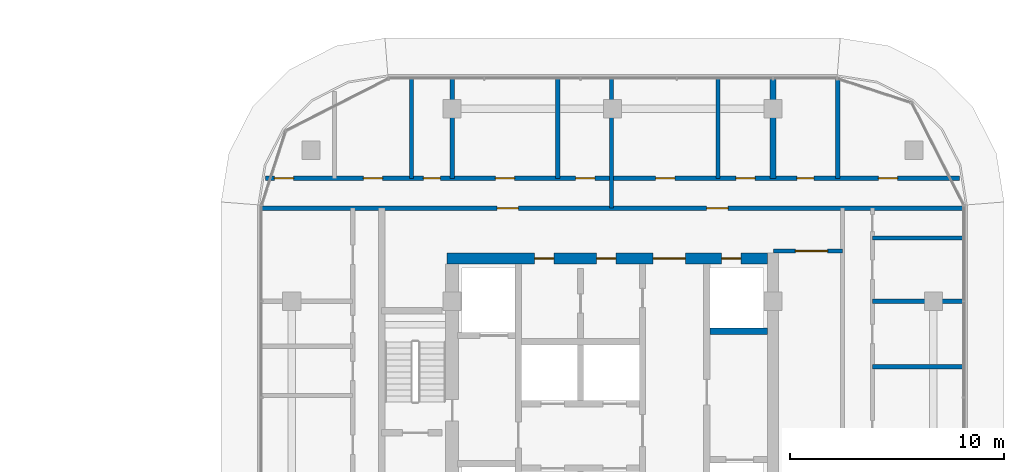
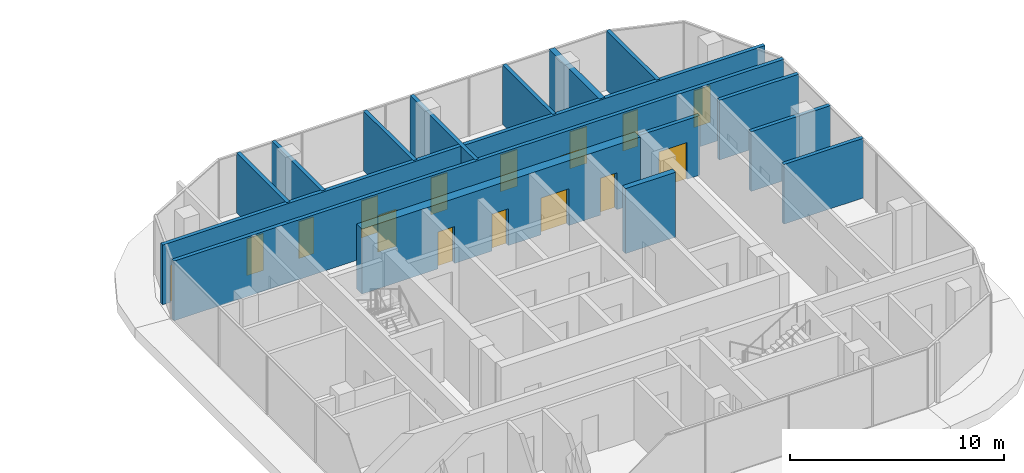
# One storey, part 24 of 36: 16 doors, 15 walls, 16 openings.
"""IFC4 building model written with IfcOpenShell, lengths in metres."""

from ifc_helpers import new_model, si_unit, direction, frame, frame_2d, origin, place, context, subcontext, project, spatial, rectangle, extrude, material, layer, layer_set, type_object, element, fill, save


model = new_model("IFC4")

# Units and contexts
model_context = context("Model", 3, precision=1e-05, world=origin(), true_north=direction((0.0, 1.0)))
body_context = subcontext(model_context, "Body", "Model", "MODEL_VIEW")
ifc_project = project(units=[si_unit("LENGTHUNIT", "METRE"), si_unit("AREAUNIT", "SQUARE_METRE"), si_unit("VOLUMEUNIT", "CUBIC_METRE"), si_unit("PLANEANGLEUNIT", "RADIAN"), si_unit("MASSUNIT", "GRAM", prefix="KILO")], contexts=[model_context])

# Site, building, storey
site_placement = place(None, origin())
site = spatial("IfcSite", under=ifc_project, at=site_placement, CompositionType="ELEMENT")
building_placement = place(site_placement, origin())
building = spatial("IfcBuilding", under=site, at=building_placement, Name="Ogive Portal Towers", CompositionType="ELEMENT")
storey_placement = place(building_placement, frame((0.0, 0.0, 70.5)))
storey = spatial("IfcBuildingStorey", under=building, at=storey_placement, Name="L16", CompositionType="ELEMENT", Elevation=70.5)

# Wall
ifc_material_1 = material(Name="Concrete C60/75", Category="concrete")
ifc_layer_1 = layer(ifc_material_1, 0.300048828125)
ifc_layer_set_1 = layer_set([ifc_layer_1], Name="CORE WALL 300 C60")
wall_type_1 = type_object("IfcWallType", Name="CORE WALL 300 C60", PredefinedType="SHEAR", material=ifc_layer_set_1)
wall_1_placement = place(storey_placement, frame((141.050048828125, 34.10009765625, 0.0), z_axis=(0.0, 0.0, 1.0), x_axis=(1.0, 0.0, 0.0)))
element("IfcWall", 1, at=wall_1_placement, inside=storey, type_object=wall_type_1, Name="Tower B core wall BY7 L16", PredefinedType="SHEAR", context=body_context, shape_type="SweptSolid", body=[
    extrude(rectangle(XDim=2.699951171875, YDim=0.300048828125, at=frame_2d((1.35009765625, 0.0))), origin(), (0.0, 0.0, 1.0), 3.699951171875),
])

# Wall, openings, doors
ifc_layer_2 = layer(ifc_material_1, 0.5)
ifc_layer_set_2 = layer_set([ifc_layer_2], Name="CORE WALL 500 C60")
wall_type_2 = type_object("IfcWallType", Name="CORE WALL 500 C60", PredefinedType="SHEAR", material=ifc_layer_set_2)
wall_2_placement = place(storey_placement, frame((128.75, 37.5, 0.0), z_axis=(0.0, 0.0, 1.0), x_axis=(1.0, 0.0, 0.0)))
wall_2 = element("IfcWall", 2, at=wall_2_placement, inside=storey, type_object=wall_type_2, Name="Tower B core wall BN L16", PredefinedType="SHEAR", context=body_context, shape_type="SweptSolid", body=[
    extrude(rectangle(XDim=15.0, YDim=0.5, at=frame_2d((7.5, 0.0))), origin(), (0.0, 0.0, 1.0), 3.699951171875),
])
opening_1_placement = place(wall_2_placement, frame((9.64990234375, 0.0, 0.0)))
opening_1 = element("IfcOpeningElement", 3, at=opening_1_placement, cuts=wall_2, Name="Opening B05-046", PredefinedType="OPENING", context=body_context, shape_type="SweptSolid", body=[
    extrude(rectangle(XDim=1.5, YDim=2.10009765625, at=frame_2d((0.75, 1.050048828125))), frame((0.0, 0.260009765625, 0.0), z_axis=(0.0, -1.0, 0.0), x_axis=(1.0, 0.0, 0.0)), (0.0, 0.0, 1.0), 0.52001953125),
])
opening_2_placement = place(wall_2_placement, frame((12.85009765625, 0.0, 0.0)))
opening_2 = element("IfcOpeningElement", 4, at=opening_2_placement, cuts=wall_2, Name="Opening B05-048", PredefinedType="OPENING", context=body_context, shape_type="SweptSolid", body=[
    extrude(rectangle(XDim=0.89990234375, YDim=2.10009765625, at=frame_2d((0.449951171875, 1.050048828125))), frame((0.0, 0.260009765625, 0.0), z_axis=(0.0, -1.0, 0.0), x_axis=(1.0, 0.0, 0.0)), (0.0, 0.0, 1.0), 0.52001953125),
])
opening_3_placement = place(wall_2_placement, frame((4.10009765625, 0.0, 0.0)))
opening_3 = element("IfcOpeningElement", 5, at=opening_3_placement, cuts=wall_2, Name="Opening B05-055", PredefinedType="OPENING", context=body_context, shape_type="SweptSolid", body=[
    extrude(rectangle(XDim=0.89990234375, YDim=2.10009765625, at=frame_2d((0.449951171875, 1.050048828125))), frame((0.0, 0.260009765625, 0.0), z_axis=(0.0, -1.0, 0.0), x_axis=(1.0, 0.0, 0.0)), (0.0, 0.0, 1.0), 0.52001953125),
])
opening_4_placement = place(wall_2_placement, frame((7.0, 0.0, 0.0)))
opening_4 = element("IfcOpeningElement", 6, at=opening_4_placement, cuts=wall_2, Name="Opening B05-056", PredefinedType="OPENING", context=body_context, shape_type="SweptSolid", body=[
    extrude(rectangle(XDim=0.89990234375, YDim=2.10009765625, at=frame_2d((0.449951171875, 1.050048828125))), frame((0.0, 0.260009765625, 0.0), z_axis=(0.0, -1.0, 0.0), x_axis=(1.0, 0.0, 0.0)), (0.0, 0.0, 1.0), 0.52001953125),
])
ifc_material_2 = material(Name="Steel fire door", Category="steel")
door_type_1 = type_object("IfcDoorType", Name="DT-SWING-1500x2100-FD90S", OperationType="SINGLE_SWING_LEFT", PredefinedType="DOOR", material=ifc_material_2)
door_1_placement = place(opening_1_placement, origin())
door_1 = element("IfcDoor", 7, at=door_1_placement, inside=storey, type_object=door_type_1, Name="Door B05-046", OperationType="SINGLE_SWING_RIGHT", OverallHeight=2.10009765625, OverallWidth=1.5, PredefinedType="DOOR", context=body_context, shape_type="SweptSolid", body=[
    extrude(rectangle(XDim=1.5, YDim=2.10009765625, at=frame_2d((0.75, 1.050048828125))), frame((0.0, 0.02490234375, 0.0), z_axis=(0.0, -1.0, 0.0), x_axis=(1.0, 0.0, 0.0)), (0.0, 0.0, 1.0), 0.050048828125),
])
fill(opening_1, door_1)
door_type_2 = type_object("IfcDoorType", Name="DT-SWING-900x2100-FD90S", OperationType="SINGLE_SWING_LEFT", PredefinedType="DOOR", material=ifc_material_2)
door_2_placement = place(opening_2_placement, origin())
door_2 = element("IfcDoor", 8, at=door_2_placement, inside=storey, type_object=door_type_2, Name="Riser access door B05-048", OperationType="SINGLE_SWING_RIGHT", OverallHeight=2.10009765625, OverallWidth=0.89990234375, PredefinedType="DOOR", context=body_context, shape_type="SweptSolid", body=[
    extrude(rectangle(XDim=0.89990234375, YDim=2.10009765625, at=frame_2d((0.449951171875, 1.050048828125))), frame((0.0, 0.02490234375, 0.0), z_axis=(0.0, -1.0, 0.0), x_axis=(1.0, 0.0, 0.0)), (0.0, 0.0, 1.0), 0.050048828125),
])
fill(opening_2, door_2)
door_3_placement = place(opening_3_placement, origin())
door_3 = element("IfcDoor", 9, at=door_3_placement, inside=storey, type_object=door_type_2, Name="Door B05-055", OperationType="SINGLE_SWING_LEFT", OverallHeight=2.10009765625, OverallWidth=0.89990234375, PredefinedType="DOOR", context=body_context, shape_type="SweptSolid", body=[
    extrude(rectangle(XDim=0.89990234375, YDim=2.10009765625, at=frame_2d((0.449951171875, 1.050048828125))), frame((0.0, 0.02490234375, 0.0), z_axis=(0.0, -1.0, 0.0), x_axis=(1.0, 0.0, 0.0)), (0.0, 0.0, 1.0), 0.050048828125),
])
fill(opening_3, door_3)
door_4_placement = place(opening_4_placement, origin())
door_4 = element("IfcDoor", 10, at=door_4_placement, inside=storey, type_object=door_type_2, Name="Door B05-056", OperationType="SINGLE_SWING_RIGHT", OverallHeight=2.10009765625, OverallWidth=0.89990234375, PredefinedType="DOOR", context=body_context, shape_type="SweptSolid", body=[
    extrude(rectangle(XDim=0.89990234375, YDim=2.10009765625, at=frame_2d((0.449951171875, 1.050048828125))), frame((0.0, 0.02490234375, 0.0), z_axis=(0.0, -1.0, 0.0), x_axis=(1.0, 0.0, 0.0)), (0.0, 0.0, 1.0), 0.050048828125),
])
fill(opening_4, door_4)

# Walls
ifc_material_3 = material(Name="Gypsum board partition on steel studs", Category="steel")
ifc_layer_3 = layer(ifc_material_3, 0.199951171875)
ifc_layer_set_3 = layer_set([ifc_layer_3], Name="WT-PART-200-EI 60")
wall_type_3 = type_object("IfcWallType", Name="WT-PART-200-EI 60", PredefinedType="PARTITIONING", material=ifc_layer_set_3)
for number, where, z_axis, x_axis, name in (
    (11, (148.64990234375, 32.43310546875, 0.0), (0.0, 0.0, 1.0), (1.0, 0.0, 0.0), "Wall L16:w012"),
    (12, (148.64990234375, 35.5, 0.0), (0.0, 0.0, 1.0), (1.0, 0.0, 0.0), "Wall L16:w016"),
):
    element("IfcWall", number, at=place(storey_placement, frame(where, z_axis=z_axis, x_axis=x_axis)), inside=storey, type_object=wall_type_3, Name=name, PredefinedType="PARTITIONING", context=body_context, shape_type="SweptSolid", body=[
        extrude(rectangle(XDim=4.280029296875, YDim=0.199951171875, at=frame_2d((2.14013671875, 0.0))), origin(), (0.0, 0.0, 1.0), 3.39990234375),
    ])

# Wall, opening, door
wall_3_placement = place(storey_placement, frame((144.02001953125, 37.85009765625, 0.0), z_axis=(0.0, 0.0, 1.0), x_axis=(1.0, 0.0, 0.0)))
wall_3 = element("IfcWall", 13, at=wall_3_placement, inside=storey, type_object=wall_type_3, Name="Wall L16:w018", PredefinedType="PARTITIONING", context=body_context, shape_type="SweptSolid", body=[
    extrude(rectangle(XDim=3.22998046875, YDim=0.199951171875, at=frame_2d((1.614990234375, 0.0))), origin(), (0.0, 0.0, 1.0), 3.39990234375),
])
opening_5_placement = place(wall_3_placement, frame((1.030029296875, 0.0, 0.0)))
opening_5 = element("IfcOpeningElement", 14, at=opening_5_placement, cuts=wall_3, Name="Opening B05-001", PredefinedType="OPENING", context=body_context, shape_type="SweptSolid", body=[
    extrude(rectangle(XDim=1.5, YDim=2.10009765625, at=frame_2d((0.75, 1.050048828125))), frame((0.0, 0.10986328125, 0.0), z_axis=(0.0, -1.0, 0.0), x_axis=(1.0, 0.0, 0.0)), (0.0, 0.0, 1.0), 0.219970703125),
])
door_type_3 = type_object("IfcDoorType", Name="DT-SWING-1500x2100-FD60S", OperationType="SINGLE_SWING_LEFT", PredefinedType="DOOR", material=ifc_material_2)
door_5_placement = place(opening_5_placement, origin())
door_5 = element("IfcDoor", 15, at=door_5_placement, inside=storey, type_object=door_type_3, Name="Door B05-001", OperationType="SINGLE_SWING_LEFT", OverallHeight=2.10009765625, OverallWidth=1.5, PredefinedType="DOOR", context=body_context, shape_type="SweptSolid", body=[
    extrude(rectangle(XDim=1.5, YDim=2.10009765625, at=frame_2d((0.75, 1.050048828125))), frame((0.0, 0.02490234375, 0.0), z_axis=(0.0, -1.0, 0.0), x_axis=(1.0, 0.0, 0.0)), (0.0, 0.0, 1.0), 0.050048828125),
])
fill(opening_5, door_5)

# Wall
wall_4_placement = place(storey_placement, frame((148.64990234375, 38.4560546875, 0.0), z_axis=(0.0, 0.0, 1.0), x_axis=(1.0, 0.0, 0.0)))
element("IfcWall", 16, at=wall_4_placement, inside=storey, type_object=wall_type_3, Name="Wall L16:w019", PredefinedType="PARTITIONING", context=body_context, shape_type="SweptSolid", body=[
    extrude(rectangle(XDim=4.280029296875, YDim=0.199951171875, at=frame_2d((2.14013671875, 0.0))), origin(), (0.0, 0.0, 1.0), 3.39990234375),
])

# Wall, openings, doors
wall_5_placement = place(storey_placement, frame((120.070068359375, 39.85009765625, 0.0), z_axis=(0.0, 0.0, 1.0), x_axis=(1.0, 0.0, 0.0)))
wall_5 = element("IfcWall", 17, at=wall_5_placement, inside=storey, type_object=wall_type_3, Name="Wall L16:w020", PredefinedType="PARTITIONING", context=body_context, shape_type="SweptSolid", body=[
    extrude(rectangle(XDim=32.85986328125, YDim=0.199951171875, at=frame_2d((16.429931640625, 0.0))), origin(), (0.0, 0.0, 1.0), 3.39990234375),
])
opening_6_placement = place(wall_5_placement, frame((11.030029296875, 0.0, 0.0)))
opening_6 = element("IfcOpeningElement", 18, at=opening_6_placement, cuts=wall_5, Name="Opening B05-005", PredefinedType="OPENING", context=body_context, shape_type="SweptSolid", body=[
    extrude(rectangle(XDim=1.0, YDim=2.10009765625, at=frame_2d((0.5, 1.050048828125))), frame((0.0, 0.10986328125, 0.0), z_axis=(0.0, -1.0, 0.0), x_axis=(1.0, 0.0, 0.0)), (0.0, 0.0, 1.0), 0.219970703125),
])
opening_7_placement = place(wall_5_placement, frame((20.830078125, 0.0, 0.0)))
opening_7 = element("IfcOpeningElement", 19, at=opening_7_placement, cuts=wall_5, Name="Opening B05-011", PredefinedType="OPENING", context=body_context, shape_type="SweptSolid", body=[
    extrude(rectangle(XDim=1.0, YDim=2.10009765625, at=frame_2d((0.5, 1.050048828125))), frame((0.0, 0.10986328125, 0.0), z_axis=(0.0, -1.0, 0.0), x_axis=(1.0, 0.0, 0.0)), (0.0, 0.0, 1.0), 0.219970703125),
])
door_type_4 = type_object("IfcDoorType", Name="DT-SWING-1000x2100-FD60S", OperationType="SINGLE_SWING_LEFT", PredefinedType="DOOR", material=ifc_material_2)
door_6_placement = place(opening_6_placement, origin())
door_6 = element("IfcDoor", 20, at=door_6_placement, inside=storey, type_object=door_type_4, Name="Door B05-005", OperationType="SINGLE_SWING_LEFT", OverallHeight=2.10009765625, OverallWidth=1.0, PredefinedType="DOOR", context=body_context, shape_type="SweptSolid", body=[
    extrude(rectangle(XDim=1.0, YDim=2.10009765625, at=frame_2d((0.5, 1.050048828125))), frame((0.0, 0.02490234375, 0.0), z_axis=(0.0, -1.0, 0.0), x_axis=(1.0, 0.0, 0.0)), (0.0, 0.0, 1.0), 0.050048828125),
])
fill(opening_6, door_6)
door_7_placement = place(opening_7_placement, origin())
door_7 = element("IfcDoor", 21, at=door_7_placement, inside=storey, type_object=door_type_4, Name="Door B05-011", OperationType="SINGLE_SWING_LEFT", OverallHeight=2.10009765625, OverallWidth=1.0, PredefinedType="DOOR", context=body_context, shape_type="SweptSolid", body=[
    extrude(rectangle(XDim=1.0, YDim=2.10009765625, at=frame_2d((0.5, 1.050048828125))), frame((0.0, 0.02490234375, 0.0), z_axis=(0.0, -1.0, 0.0), x_axis=(1.0, 0.0, 0.0)), (0.0, 0.0, 1.0), 0.050048828125),
])
fill(opening_7, door_7)

wall_6_placement = place(storey_placement, frame((120.26904296875, 41.25, 0.0), z_axis=(0.0, 0.0, 1.0), x_axis=(1.0, 0.0, 0.0)))
wall_6 = element("IfcWall", 22, at=wall_6_placement, inside=storey, type_object=wall_type_3, Name="Wall L16:w021", PredefinedType="PARTITIONING", context=body_context, shape_type="SweptSolid", body=[
    extrude(rectangle(XDim=32.4619140625, YDim=0.199951171875, at=frame_2d((16.23095703125, 0.0))), origin(), (0.0, 0.0, 1.0), 3.39990234375),
])
opening_8_placement = place(wall_6_placement, frame((0.4140625, 0.0, 0.0)))
opening_8 = element("IfcOpeningElement", 23, at=opening_8_placement, cuts=wall_6, Name="Opening B05-006", PredefinedType="OPENING", context=body_context, shape_type="SweptSolid", body=[
    extrude(rectangle(XDim=0.89990234375, YDim=2.10009765625, at=frame_2d((0.449951171875, 1.050048828125))), frame((0.0, 0.10986328125, 0.0), z_axis=(0.0, -1.0, 0.0), x_axis=(1.0, 0.0, 0.0)), (0.0, 0.0, 1.0), 0.219970703125),
])
opening_9_placement = place(wall_6_placement, frame((4.5810546875, 0.0, 0.0)))
opening_9 = element("IfcOpeningElement", 24, at=opening_9_placement, cuts=wall_6, Name="Opening B05-007", PredefinedType="OPENING", context=body_context, shape_type="SweptSolid", body=[
    extrude(rectangle(XDim=0.89990234375, YDim=2.10009765625, at=frame_2d((0.449951171875, 1.050048828125))), frame((0.0, 0.10986328125, 0.0), z_axis=(0.0, -1.0, 0.0), x_axis=(1.0, 0.0, 0.0)), (0.0, 0.0, 1.0), 0.219970703125),
])
opening_10_placement = place(wall_6_placement, frame((7.381103515625, 0.0, 0.0)))
opening_10 = element("IfcOpeningElement", 25, at=opening_10_placement, cuts=wall_6, Name="Opening B05-008", PredefinedType="OPENING", context=body_context, shape_type="SweptSolid", body=[
    extrude(rectangle(XDim=0.800048828125, YDim=2.10009765625, at=frame_2d((0.39990234375, 1.050048828125))), frame((0.0, 0.10986328125, 0.0), z_axis=(0.0, -1.0, 0.0), x_axis=(1.0, 0.0, 0.0)), (0.0, 0.0, 1.0), 0.219970703125),
])
opening_11_placement = place(wall_6_placement, frame((10.748046875, 0.0, 0.0)))
opening_11 = element("IfcOpeningElement", 26, at=opening_11_placement, cuts=wall_6, Name="Opening B05-009", PredefinedType="OPENING", context=body_context, shape_type="SweptSolid", body=[
    extrude(rectangle(XDim=0.89990234375, YDim=2.10009765625, at=frame_2d((0.449951171875, 1.050048828125))), frame((0.0, 0.10986328125, 0.0), z_axis=(0.0, -1.0, 0.0), x_axis=(1.0, 0.0, 0.0)), (0.0, 0.0, 1.0), 0.219970703125),
])
opening_12_placement = place(wall_6_placement, frame((14.498046875, 0.0, 0.0)))
opening_12 = element("IfcOpeningElement", 27, at=opening_12_placement, cuts=wall_6, Name="Opening B05-010", PredefinedType="OPENING", context=body_context, shape_type="SweptSolid", body=[
    extrude(rectangle(XDim=0.89990234375, YDim=2.10009765625, at=frame_2d((0.449951171875, 1.050048828125))), frame((0.0, 0.10986328125, 0.0), z_axis=(0.0, -1.0, 0.0), x_axis=(1.0, 0.0, 0.0)), (0.0, 0.0, 1.0), 0.219970703125),
])
opening_13_placement = place(wall_6_placement, frame((18.248046875, 0.0, 0.0)))
opening_13 = element("IfcOpeningElement", 28, at=opening_13_placement, cuts=wall_6, Name="Opening B05-012", PredefinedType="OPENING", context=body_context, shape_type="SweptSolid", body=[
    extrude(rectangle(XDim=0.89990234375, YDim=2.10009765625, at=frame_2d((0.449951171875, 1.050048828125))), frame((0.0, 0.10986328125, 0.0), z_axis=(0.0, -1.0, 0.0), x_axis=(1.0, 0.0, 0.0)), (0.0, 0.0, 1.0), 0.219970703125),
])
opening_14_placement = place(wall_6_placement, frame((21.998046875, 0.0, 0.0)))
opening_14 = element("IfcOpeningElement", 29, at=opening_14_placement, cuts=wall_6, Name="Opening B05-013", PredefinedType="OPENING", context=body_context, shape_type="SweptSolid", body=[
    extrude(rectangle(XDim=0.89990234375, YDim=2.10009765625, at=frame_2d((0.449951171875, 1.050048828125))), frame((0.0, 0.10986328125, 0.0), z_axis=(0.0, -1.0, 0.0), x_axis=(1.0, 0.0, 0.0)), (0.0, 0.0, 1.0), 0.219970703125),
])
opening_15_placement = place(wall_6_placement, frame((24.842041015625, 0.0, 0.0)))
opening_15 = element("IfcOpeningElement", 30, at=opening_15_placement, cuts=wall_6, Name="Opening B05-014", PredefinedType="OPENING", context=body_context, shape_type="SweptSolid", body=[
    extrude(rectangle(XDim=0.800048828125, YDim=2.10009765625, at=frame_2d((0.39990234375, 1.050048828125))), frame((0.0, 0.10986328125, 0.0), z_axis=(0.0, -1.0, 0.0), x_axis=(1.0, 0.0, 0.0)), (0.0, 0.0, 1.0), 0.219970703125),
])
opening_16_placement = place(wall_6_placement, frame((28.658935546875, 0.0, 0.0)))
opening_16 = element("IfcOpeningElement", 31, at=opening_16_placement, cuts=wall_6, Name="Opening B05-015", PredefinedType="OPENING", context=body_context, shape_type="SweptSolid", body=[
    extrude(rectangle(XDim=0.89990234375, YDim=2.10009765625, at=frame_2d((0.449951171875, 1.050048828125))), frame((0.0, 0.10986328125, 0.0), z_axis=(0.0, -1.0, 0.0), x_axis=(1.0, 0.0, 0.0)), (0.0, 0.0, 1.0), 0.219970703125),
])
door_type_5 = type_object("IfcDoorType", Name="DT-SWING-800x2100-FD60S", OperationType="SINGLE_SWING_LEFT", PredefinedType="DOOR", material=ifc_material_2)
door_8_placement = place(opening_10_placement, origin())
door_8 = element("IfcDoor", 32, at=door_8_placement, inside=storey, type_object=door_type_5, Name="Door B05-008", OperationType="SINGLE_SWING_RIGHT", OverallHeight=2.10009765625, OverallWidth=0.800048828125, PredefinedType="DOOR", context=body_context, shape_type="SweptSolid", body=[
    extrude(rectangle(XDim=0.800048828125, YDim=2.10009765625, at=frame_2d((0.39990234375, 1.050048828125))), frame((0.0, 0.02490234375, 0.0), z_axis=(0.0, -1.0, 0.0), x_axis=(1.0, 0.0, 0.0)), (0.0, 0.0, 1.0), 0.050048828125),
])
fill(opening_10, door_8)
door_9_placement = place(opening_15_placement, origin())
door_9 = element("IfcDoor", 33, at=door_9_placement, inside=storey, type_object=door_type_5, Name="Door B05-014", OperationType="SINGLE_SWING_RIGHT", OverallHeight=2.10009765625, OverallWidth=0.800048828125, PredefinedType="DOOR", context=body_context, shape_type="SweptSolid", body=[
    extrude(rectangle(XDim=0.800048828125, YDim=2.10009765625, at=frame_2d((0.39990234375, 1.050048828125))), frame((0.0, 0.02490234375, 0.0), z_axis=(0.0, -1.0, 0.0), x_axis=(1.0, 0.0, 0.0)), (0.0, 0.0, 1.0), 0.050048828125),
])
fill(opening_15, door_9)
door_type_6 = type_object("IfcDoorType", Name="DT-SWING-900x2100-FD60S", OperationType="SINGLE_SWING_LEFT", PredefinedType="DOOR", material=ifc_material_2)
door_10_placement = place(opening_8_placement, origin())
door_10 = element("IfcDoor", 34, at=door_10_placement, inside=storey, type_object=door_type_6, Name="Door B05-006", OperationType="SINGLE_SWING_RIGHT", OverallHeight=2.10009765625, OverallWidth=0.89990234375, PredefinedType="DOOR", context=body_context, shape_type="SweptSolid", body=[
    extrude(rectangle(XDim=0.89990234375, YDim=2.10009765625, at=frame_2d((0.449951171875, 1.050048828125))), frame((0.0, 0.02490234375, 0.0), z_axis=(0.0, -1.0, 0.0), x_axis=(1.0, 0.0, 0.0)), (0.0, 0.0, 1.0), 0.050048828125),
])
fill(opening_8, door_10)
door_11_placement = place(opening_9_placement, origin())
door_11 = element("IfcDoor", 35, at=door_11_placement, inside=storey, type_object=door_type_6, Name="Door B05-007", OperationType="SINGLE_SWING_LEFT", OverallHeight=2.10009765625, OverallWidth=0.89990234375, PredefinedType="DOOR", context=body_context, shape_type="SweptSolid", body=[
    extrude(rectangle(XDim=0.89990234375, YDim=2.10009765625, at=frame_2d((0.449951171875, 1.050048828125))), frame((0.0, 0.02490234375, 0.0), z_axis=(0.0, -1.0, 0.0), x_axis=(1.0, 0.0, 0.0)), (0.0, 0.0, 1.0), 0.050048828125),
])
fill(opening_9, door_11)
door_12_placement = place(opening_11_placement, origin())
door_12 = element("IfcDoor", 36, at=door_12_placement, inside=storey, type_object=door_type_6, Name="Door B05-009", OperationType="SINGLE_SWING_LEFT", OverallHeight=2.10009765625, OverallWidth=0.89990234375, PredefinedType="DOOR", context=body_context, shape_type="SweptSolid", body=[
    extrude(rectangle(XDim=0.89990234375, YDim=2.10009765625, at=frame_2d((0.449951171875, 1.050048828125))), frame((0.0, 0.02490234375, 0.0), z_axis=(0.0, -1.0, 0.0), x_axis=(1.0, 0.0, 0.0)), (0.0, 0.0, 1.0), 0.050048828125),
])
fill(opening_11, door_12)
door_13_placement = place(opening_12_placement, origin())
door_13 = element("IfcDoor", 37, at=door_13_placement, inside=storey, type_object=door_type_6, Name="Door B05-010", OperationType="SINGLE_SWING_RIGHT", OverallHeight=2.10009765625, OverallWidth=0.89990234375, PredefinedType="DOOR", context=body_context, shape_type="SweptSolid", body=[
    extrude(rectangle(XDim=0.89990234375, YDim=2.10009765625, at=frame_2d((0.449951171875, 1.050048828125))), frame((0.0, 0.02490234375, 0.0), z_axis=(0.0, -1.0, 0.0), x_axis=(1.0, 0.0, 0.0)), (0.0, 0.0, 1.0), 0.050048828125),
])
fill(opening_12, door_13)
door_14_placement = place(opening_13_placement, origin())
door_14 = element("IfcDoor", 38, at=door_14_placement, inside=storey, type_object=door_type_6, Name="Door B05-012", OperationType="SINGLE_SWING_RIGHT", OverallHeight=2.10009765625, OverallWidth=0.89990234375, PredefinedType="DOOR", context=body_context, shape_type="SweptSolid", body=[
    extrude(rectangle(XDim=0.89990234375, YDim=2.10009765625, at=frame_2d((0.449951171875, 1.050048828125))), frame((0.0, 0.02490234375, 0.0), z_axis=(0.0, -1.0, 0.0), x_axis=(1.0, 0.0, 0.0)), (0.0, 0.0, 1.0), 0.050048828125),
])
fill(opening_13, door_14)
door_15_placement = place(opening_14_placement, origin())
door_15 = element("IfcDoor", 39, at=door_15_placement, inside=storey, type_object=door_type_6, Name="Door B05-013", OperationType="SINGLE_SWING_LEFT", OverallHeight=2.10009765625, OverallWidth=0.89990234375, PredefinedType="DOOR", context=body_context, shape_type="SweptSolid", body=[
    extrude(rectangle(XDim=0.89990234375, YDim=2.10009765625, at=frame_2d((0.449951171875, 1.050048828125))), frame((0.0, 0.02490234375, 0.0), z_axis=(0.0, -1.0, 0.0), x_axis=(1.0, 0.0, 0.0)), (0.0, 0.0, 1.0), 0.050048828125),
])
fill(opening_14, door_15)
door_16_placement = place(opening_16_placement, origin())
door_16 = element("IfcDoor", 40, at=door_16_placement, inside=storey, type_object=door_type_6, Name="Door B05-015", OperationType="SINGLE_SWING_LEFT", OverallHeight=2.10009765625, OverallWidth=0.89990234375, PredefinedType="DOOR", context=body_context, shape_type="SweptSolid", body=[
    extrude(rectangle(XDim=0.89990234375, YDim=2.10009765625, at=frame_2d((0.449951171875, 1.050048828125))), frame((0.0, 0.02490234375, 0.0), z_axis=(0.0, -1.0, 0.0), x_axis=(1.0, 0.0, 0.0)), (0.0, 0.0, 1.0), 0.050048828125),
])
fill(opening_16, door_16)

# Walls
for number, where, z_axis, x_axis, name in (
    (41, (127.10009765625, 41.25, 0.0), (0.0, 0.0, 1.0), (0.0, 1.0, 0.0), "Wall L16:w027"),
    (42, (129.0, 41.25, 0.0), (0.0, 0.0, 1.0), (0.0, 1.0, 0.0), "Wall L16:w031"),
    (43, (133.93310546875, 41.25, 0.0), (0.0, 0.0, 1.0), (0.0, 1.0, 0.0), "Wall L16:w033"),
):
    element("IfcWall", number, at=place(storey_placement, frame(where, z_axis=z_axis, x_axis=x_axis)), inside=storey, type_object=wall_type_3, Name=name, PredefinedType="PARTITIONING", context=body_context, shape_type="SweptSolid", body=[
        extrude(rectangle(XDim=4.679931640625, YDim=0.199951171875, at=frame_2d((2.33984375, 0.0))), origin(), (0.0, 0.0, 1.0), 3.39990234375),
    ])
wall_7_placement = place(storey_placement, frame((136.449951171875, 39.85009765625, 0.0), z_axis=(0.0, 0.0, 1.0), x_axis=(0.0, 1.0, 0.0)))
element("IfcWall", 44, at=wall_7_placement, inside=storey, type_object=wall_type_3, Name="Wall L16:w036", PredefinedType="PARTITIONING", context=body_context, shape_type="SweptSolid", body=[
    extrude(rectangle(XDim=6.079833984375, YDim=0.199951171875, at=frame_2d((3.0400390625, 0.0))), origin(), (0.0, 0.0, 1.0), 3.39990234375),
])
wall_8_placement = place(storey_placement, frame((141.43310546875, 41.25, 0.0), z_axis=(0.0, 0.0, 1.0), x_axis=(0.0, 1.0, 0.0)))
element("IfcWall", 45, at=wall_8_placement, inside=storey, type_object=wall_type_3, Name="Wall L16:w038", PredefinedType="PARTITIONING", context=body_context, shape_type="SweptSolid", body=[
    extrude(rectangle(XDim=4.679931640625, YDim=0.199951171875, at=frame_2d((2.33984375, 0.0))), origin(), (0.0, 0.0, 1.0), 3.39990234375),
])
wall_9_placement = place(storey_placement, frame((147.02197265625, 41.25, 0.0), z_axis=(0.0, 0.0, 1.0), x_axis=(0.0, 1.0, 0.0)))
element("IfcWall", 46, at=wall_9_placement, inside=storey, type_object=wall_type_3, Name="Wall L16:w044", PredefinedType="PARTITIONING", context=body_context, shape_type="SweptSolid", body=[
    extrude(rectangle(XDim=4.676025390625, YDim=0.199951171875, at=frame_2d((2.337890625, 0.0))), origin(), (0.0, 0.0, 1.0), 3.39990234375),
])
ifc_layer_4 = layer(ifc_material_3, 0.300048828125)
ifc_layer_set_4 = layer_set([ifc_layer_4], Name="WT-PART-300-EI 60")
wall_type_4 = type_object("IfcWallType", Name="WT-PART-300-EI 60", PredefinedType="PARTITIONING", material=ifc_layer_set_4)
wall_10_placement = place(storey_placement, frame((144.0, 41.25, 0.0), z_axis=(0.0, 0.0, 1.0), x_axis=(0.0, 1.0, 0.0)))
element("IfcWall", 47, at=wall_10_placement, inside=storey, type_object=wall_type_4, Name="Wall L16:w040", PredefinedType="PARTITIONING", context=body_context, shape_type="SweptSolid", body=[
    extrude(rectangle(XDim=4.679931640625, YDim=0.300048828125, at=frame_2d((2.33984375, 0.0))), origin(), (0.0, 0.0, 1.0), 3.39990234375),
])

save(model, "model.ifc")
